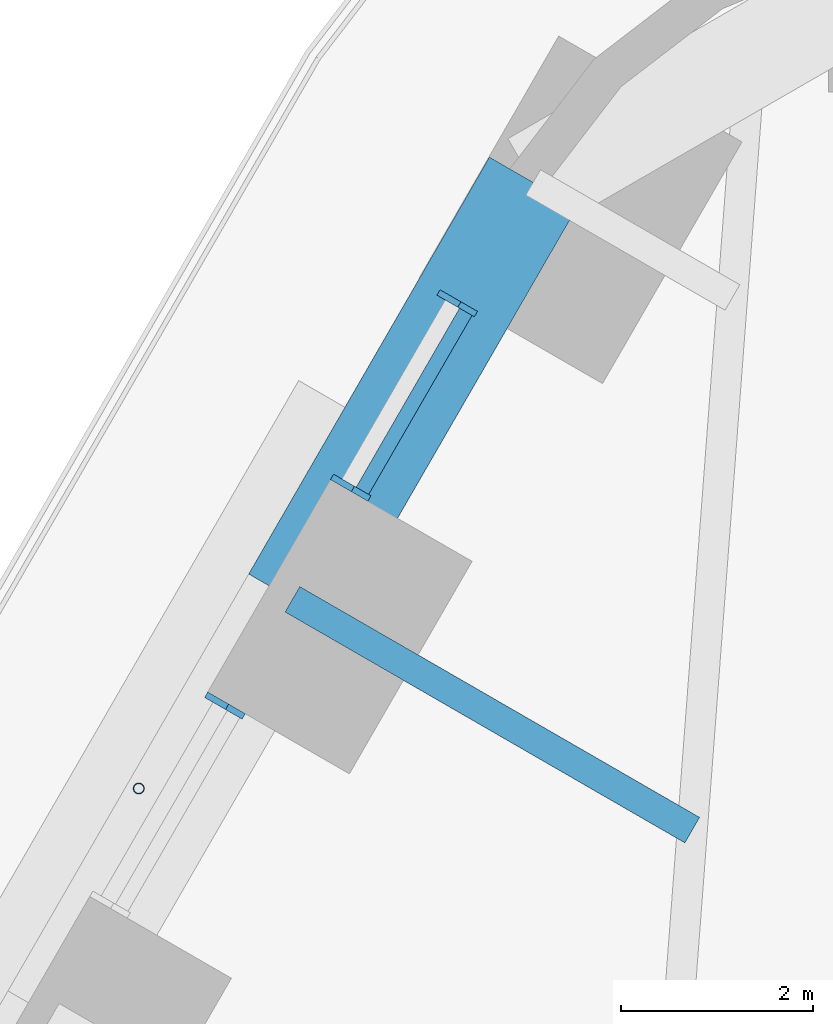
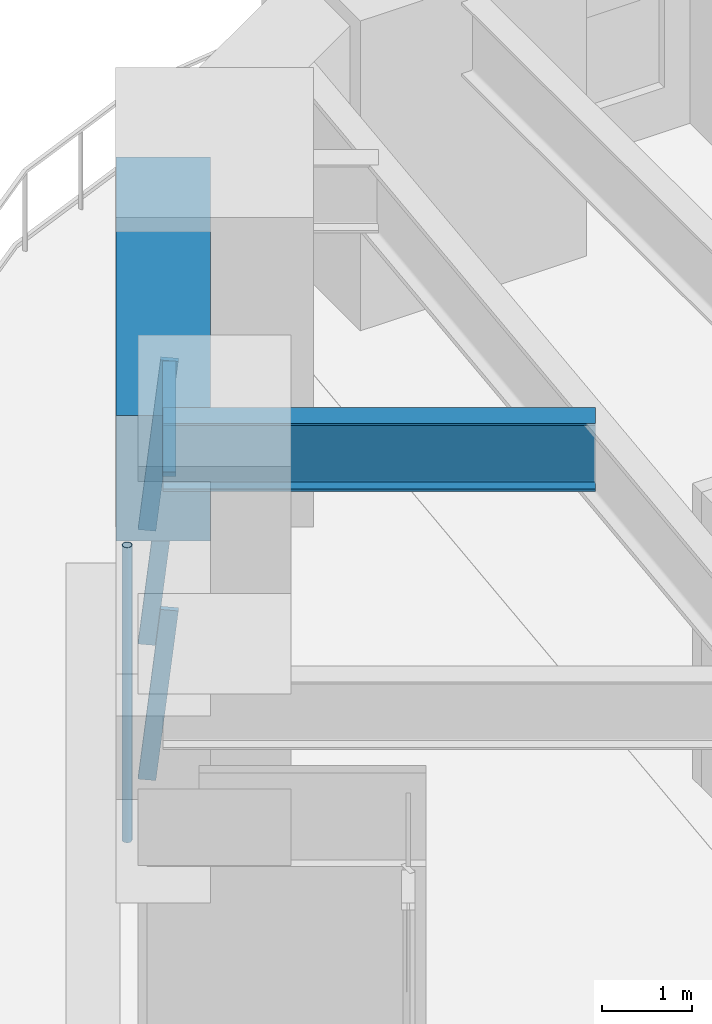
# One storey, part 9 of 24: 5 members, 2 beams, 2 elements without a shape of their own.
"""IFC4 building model written with IfcOpenShell, lengths in metres."""

from ifc_helpers import new_model, si_unit, direction, frame, origin, origin_2d, place, context, subcontext, project, spatial, rectangle, hollow_circle, i_section, extrude, material, material_profile, profile_set, type_object, element, aggregate, save


model = new_model("IFC4")

# Units and contexts
model_context = context("Model", 3, precision=1e-05, world=origin(), true_north=direction((0.0, 1.0)))
body_context = subcontext(model_context, "Body", "Model", "MODEL_VIEW")
ifc_project = project(units=[si_unit("LENGTHUNIT", "METRE"), si_unit("AREAUNIT", "SQUARE_METRE"), si_unit("VOLUMEUNIT", "CUBIC_METRE"), si_unit("PLANEANGLEUNIT", "RADIAN"), si_unit("MASSUNIT", "GRAM", prefix="KILO")], contexts=[model_context])

# Site, building, storey
site_placement = place(None, origin())
site = spatial("IfcSite", under=ifc_project, at=site_placement, CompositionType="ELEMENT")
building_placement = place(site_placement, origin())
building = spatial("IfcBuilding", under=site, at=building_placement, Name="Tarfa Lantern Tower", CompositionType="ELEMENT")
storey_placement = place(building_placement, frame((0.0, 0.0, 119.5)))
storey = spatial("IfcBuildingStorey", under=building, at=storey_placement, Name="L26", CompositionType="ELEMENT", Elevation=119.5)

# Curtain wall, members
ifc_material_1 = material(Name="Aluminium framed curtain wall", Category="aluminium")
curtain_wall_type = type_object("IfcCurtainWallType", Name="CW2 CANTED GLAZING MID ZONE 2300", PredefinedType="USERDEFINED", material=ifc_material_1)
curtain_wall_1_placement = place(storey_placement, origin())
curtain_wall_1 = element("IfcCurtainWall", 1, at=curtain_wall_1_placement, inside=storey, type_object=curtain_wall_type, Name="CW2 NW L26", ObjectType="CURTAIN WALL", PredefinedType="USERDEFINED")
ifc_material_2 = material(Name="Aluminium mullion", Category="aluminium")
ifc_material_profile_1 = material_profile(ifc_material_2, rectangle(XDim=0.06494140625, YDim=0.199951171875, at=origin_2d()), Name="AL MULLION 65x200")
ifc_profile_set_1 = profile_set([ifc_material_profile_1], Name="Aluminium mullion")
member_type_1 = type_object("IfcMemberType", Name="CWM1 MULLION 65x200", PredefinedType="MULLION", material=ifc_profile_set_1)
member_1_placement = place(storey_placement, frame((-20.428955078125, 27.416015625, 0.0), z_axis=(0.093599904765, -0.0540283554, 0.994142844183), x_axis=(0.499919672301, 0.866071776036, 0.0)))
member_1 = element("IfcMember", 2, at=member_1_placement, type_object=member_type_1, Name="CW2 mullion 1", PredefinedType="MULLION", context=body_context, shape_type="SweptSolid", body=[
    extrude(rectangle(XDim=0.06494140625, YDim=0.199951171875, at=origin_2d()), origin(), (0.0, 0.0, 1.0), 2.313720703125),
])
member_2_placement = place(storey_placement, frame((-21.53564453125, 25.4990234375, 0.0), z_axis=(0.093495303575, -0.054028888748, 0.994152657991), x_axis=(0.500342721131, 0.865827443207, 0.0)))
member_2 = element("IfcMember", 3, at=member_2_placement, type_object=member_type_1, Name="CW2 mullion 2", PredefinedType="MULLION", context=body_context, shape_type="SweptSolid", body=[
    extrude(rectangle(XDim=0.06494140625, YDim=0.199951171875, at=origin_2d()), origin(), (0.0, 0.0, 1.0), 2.3134765625),
])

# Curtain wall, member
curtain_wall_2_placement = place(storey_placement, origin())
curtain_wall_2 = element("IfcCurtainWall", 4, at=curtain_wall_2_placement, inside=storey, type_object=curtain_wall_type, Name="CW2 NW L26", ObjectType="CURTAIN WALL", PredefinedType="USERDEFINED")
member_3_placement = place(storey_placement, frame((-22.84326171875, 23.234375, 0.0), z_axis=(0.093599904765, -0.0540283554, 0.994142844183), x_axis=(0.499919672301, 0.866071776036, 0.0)))
member_3 = element("IfcMember", 5, at=member_3_placement, type_object=member_type_1, Name="CW2 mullion 1", PredefinedType="MULLION", context=body_context, shape_type="SweptSolid", body=[
    extrude(rectangle(XDim=0.06494140625, YDim=0.199951171875, at=origin_2d()), origin(), (0.0, 0.0, 1.0), 2.313720703125),
])
aggregate(curtain_wall_2, [member_3])

# Member
ifc_material_3 = material(Name="Aluminium transom", Category="aluminium")
ifc_material_profile_2 = material_profile(ifc_material_3, rectangle(XDim=0.14990234375, YDim=0.06494140625, at=origin_2d()), Name="AL TRANSOM 150x65")
ifc_profile_set_2 = profile_set([ifc_material_profile_2], Name="Aluminium transom")
member_type_2 = type_object("IfcMemberType", Name="CWT1 TRANSOM 150x65", PredefinedType="USERDEFINED", material=ifc_profile_set_2)
member_4_placement = place(storey_placement, frame((-20.231689453125, 27.2646484375, 2.267578125), z_axis=(-0.500037174102, -0.866003940243, 0.0), x_axis=(0.866003940243, -0.500037174102, 0.0)))
member_4 = element("IfcMember", 6, at=member_4_placement, type_object=member_type_2, Name="CW2 transom 1.2", ObjectType="TRANSOM", PredefinedType="USERDEFINED", context=body_context, shape_type="SweptSolid", body=[
    extrude(rectangle(XDim=0.14990234375, YDim=0.06494140625, at=origin_2d()), origin(), (0.0, 0.0, 1.0), 2.148681640625),
])

aggregate(curtain_wall_1, [member_1, member_2, member_4])

# Beam
ifc_material_4 = material(Name="Concrete C80/95", Category="concrete")
ifc_material_profile_3 = material_profile(ifc_material_4, rectangle(XDim=1.050048828125, YDim=1.699951171875, at=origin_2d()), Name="RC 1050x1700")
ifc_profile_set_3 = profile_set([ifc_material_profile_3], Name="Concrete C80/95")
beam_type_1 = type_object("IfcBeamType", Name="RB2 RC 1050x1700", PredefinedType="BEAM", material=ifc_profile_set_3)
beam_1_placement = place(storey_placement, frame((-19.53173828125, 28.610107421875, 3.14990234375), z_axis=(-0.500001197378, -0.866024712477, 0.0), x_axis=(0.866024712477, -0.500001197378, 0.0)))
element("IfcBeam", 7, at=beam_1_placement, inside=storey, type_object=beam_type_1, Name="Edge beam NW0", PredefinedType="BEAM", context=body_context, shape_type="SweptSolid", body=[
    extrude(rectangle(XDim=1.050048828125, YDim=1.699951171875, at=origin_2d()), origin(), (0.0, 0.0, 1.0), 5.00390625),
])

# Member
ifc_material_5 = material(Name="Steel S355", Category="steel")
ifc_material_profile_4 = material_profile(ifc_material_5, hollow_circle(Radius=0.05712890625, WallThickness=0.00634765625, at=origin_2d()), Name="CHS114.3x6.3")
ifc_profile_set_4 = profile_set([ifc_material_profile_4], Name="Steel S355")
member_type_3 = type_object("IfcMemberType", Name="TR1 GREEN WALL TRELLIS CHS114.3x6.3", PredefinedType="USERDEFINED", material=ifc_profile_set_4)
member_5_placement = place(storey_placement, frame((-23.630859375, 22.31005859375, 0.0), z_axis=(0.0, 0.0, 1.0), x_axis=(1.0, 0.0, 0.0)))
element("IfcMember", 8, at=member_5_placement, inside=storey, type_object=member_type_3, Name="Trellis post NW 1", ObjectType="TRELLIS", PredefinedType="USERDEFINED", context=body_context, shape_type="SweptSolid", body=[
    extrude(hollow_circle(Radius=0.05712890625, WallThickness=0.00634765625, at=origin_2d()), origin(), (0.0, 0.0, 1.0), 4.0),
])

# Beam
ifc_material_6 = material(Name="Steel S460M", Category="steel")
ifc_material_profile_5 = material_profile(ifc_material_6, i_section(OverallWidth=0.305419921875, OverallDepth=0.91845703125, WebThickness=0.017333984375, FlangeThickness=0.02783203125, FilletRadius=0.01904296875, at=origin_2d()), Name="UB914x305x253")
ifc_profile_set_5 = profile_set([ifc_material_profile_5], Name="Steel S460M")
beam_type_2 = type_object("IfcBeamType", Name="UB914x305x253", PredefinedType="BEAM", material=ifc_profile_set_5)
beam_2_placement = place(storey_placement, frame((-22.03369140625, 24.276611328125, 3.540771484375), z_axis=(0.866030550462, -0.499991085587, 0.0), x_axis=(0.499991085587, 0.866030550462, 0.0)))
element("IfcBeam", 9, at=beam_2_placement, inside=storey, type_object=beam_type_2, Name="Floor beam NW1", PredefinedType="BEAM", context=body_context, shape_type="SweptSolid", body=[
    extrude(i_section(OverallWidth=0.305419921875, OverallDepth=0.91845703125, WebThickness=0.017333984375, FlangeThickness=0.02783203125, FilletRadius=0.01904296875, at=origin_2d()), origin(), (0.0, 0.0, 1.0), 4.798828125),
])

save(model, "model.ifc")
